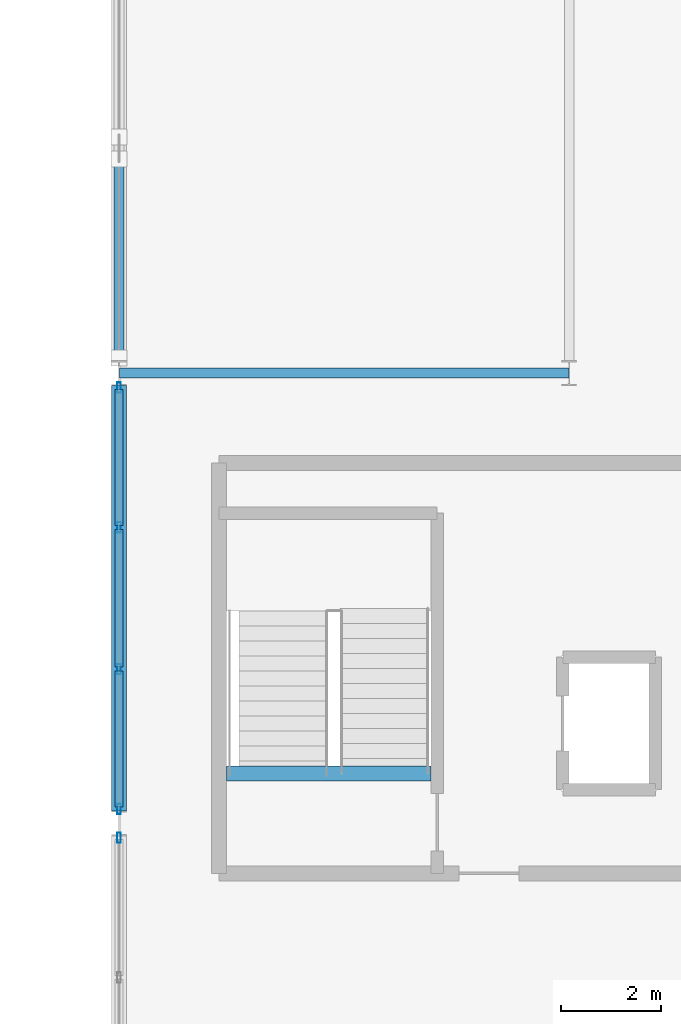
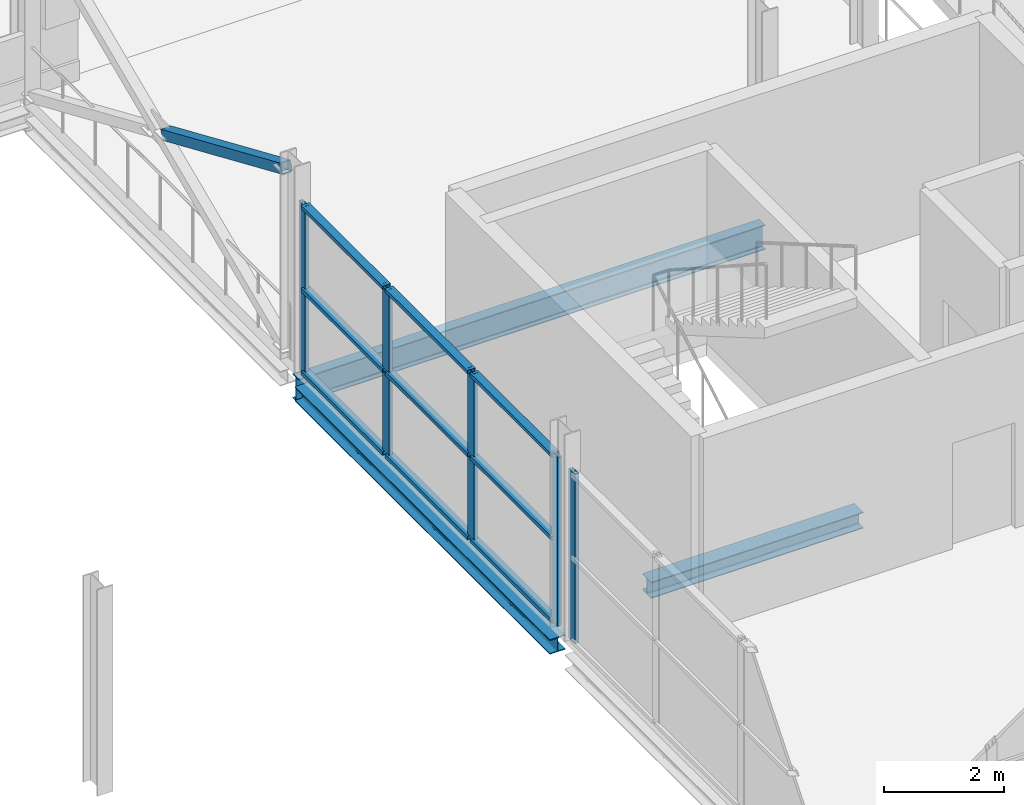
# One storey, part 36 of 103: 15 members, 3 beams, 2 elements without a shape of their own.
"""IFC4 building model written with IfcOpenShell, lengths in metres."""

from ifc_helpers import new_model, si_unit, direction, frame, origin, origin_2d, place, context, subcontext, project, spatial, hollow_rectangle, i_section, extrude, material, layer, layer_set, material_profile, profile_set, type_object, element, aggregate, save


model = new_model("IFC4")

# Units and contexts
model_context = context("Model", 3, precision=1e-05, world=origin(), true_north=direction((0.0, 1.0)))
body_context = subcontext(model_context, "Body", "Model", "MODEL_VIEW")
ifc_project = project(units=[si_unit("LENGTHUNIT", "METRE"), si_unit("AREAUNIT", "SQUARE_METRE"), si_unit("VOLUMEUNIT", "CUBIC_METRE"), si_unit("PLANEANGLEUNIT", "RADIAN"), si_unit("MASSUNIT", "GRAM", prefix="KILO")], contexts=[model_context])

# Site, building, storey
site_placement = place(None, origin())
site = spatial("IfcSite", under=ifc_project, at=site_placement, CompositionType="ELEMENT")
building_placement = place(site_placement, origin())
building = spatial("IfcBuilding", under=site, at=building_placement, Name="Deido Ridge Mobility Hub", CompositionType="ELEMENT")
storey_placement = place(building_placement, frame((0.0, 0.0, 12.60009765625)))
storey = spatial("IfcBuildingStorey", under=building, at=storey_placement, Name="L03", CompositionType="ELEMENT", Elevation=12.60009765625)

# Beams
ifc_material_1 = material(Name="Steel S355J2 EN 10025-2", Category="steel")
ifc_material_profile_1 = material_profile(ifc_material_1, i_section(OverallWidth=0.300048828125, OverallDepth=0.330078125, WebThickness=0.009521484375, FlangeThickness=0.0166015625, FilletRadius=0.027099609375, at=origin_2d()), Name="HEA 340")
ifc_profile_set_1 = profile_set([ifc_material_profile_1], Name="Steel S355J2 EN 10025-2")
beam_type_1 = type_object("IfcBeamType", Name="BM-HEA340", PredefinedType="BEAM", material=ifc_profile_set_1)
beam_1_placement = place(storey_placement, frame((74.14990234375, 64.0, -0.43017578125), z_axis=(1.0, 0.0, 0.0), x_axis=(0.0, 1.0, 0.0)))
element("IfcBeam", 1, at=beam_1_placement, inside=storey, type_object=beam_type_1, Name="C4 stair landing trimmer beam B6", PredefinedType="BEAM", context=body_context, shape_type="SweptSolid", body=[
    extrude(i_section(OverallWidth=0.300048828125, OverallDepth=0.330078125, WebThickness=0.009521484375, FlangeThickness=0.0166015625, FilletRadius=0.027099609375, at=origin_2d()), origin(), (0.0, 0.0, 1.0), 4.085205078125),
])
ifc_material_profile_2 = material_profile(ifc_material_1, i_section(OverallWidth=0.199951171875, OverallDepth=0.5, WebThickness=0.01025390625, FlangeThickness=0.01611328125, FilletRadius=0.02099609375, at=origin_2d()), Name="IPE 500")
ifc_profile_set_2 = profile_set([ifc_material_profile_2], Name="Steel S355J2 EN 10025-2")
beam_type_2 = type_object("IfcBeamType", Name="BM-IPE500", PredefinedType="BEAM", material=ifc_profile_set_2)
beam_2_placement = place(storey_placement, frame((72.007080078125, 72.0, -0.51513671875), z_axis=(1.0, 0.0, 0.0), x_axis=(0.0, 1.0, 0.0)))
element("IfcBeam", 2, at=beam_2_placement, inside=storey, type_object=beam_type_2, Name="Floor beam B3", PredefinedType="BEAM", context=body_context, shape_type="SweptSolid", body=[
    extrude(i_section(OverallWidth=0.199951171875, OverallDepth=0.5, WebThickness=0.01025390625, FlangeThickness=0.01611328125, FilletRadius=0.02099609375, at=origin_2d()), origin(), (0.0, 0.0, 1.0), 8.98583984375),
])

# Member
ifc_material_2 = material(Name="Steel S355J2H EN 10210-1", Category="steel")
ifc_material_profile_3 = material_profile(ifc_material_2, hollow_rectangle(XDim=0.199951171875, YDim=0.199951171875, WallThickness=0.010009765625, at=origin_2d()), Name="SHS 200x200x10")
ifc_profile_set_3 = profile_set([ifc_material_profile_3], Name="Steel S355J2H EN 10210-1")
member_type_1 = type_object("IfcMemberType", Name="MEM-BRC-SHS200", PredefinedType="BRACE", material=ifc_profile_set_3)
member_1_placement = place(storey_placement, frame((72.0, 76.27978515625, 2.09521484375), z_axis=(0.0, -0.917550833654, 0.397618495119), x_axis=(1.0, 0.0, 0.0)))
element("IfcMember", 3, at=member_1_placement, inside=storey, type_object=member_type_1, Name="Split X-brace diagonal segment BR3", PredefinedType="BRACE", context=body_context, shape_type="SweptSolid", body=[
    extrude(hollow_rectangle(XDim=0.199951171875, YDim=0.199951171875, WallThickness=0.010009765625, at=origin_2d()), origin(), (0.0, 0.0, 1.0), 4.33740234375),
])

# Curtain wall, member
ifc_material_3 = material(Name="Anodised aluminium EN AW-6063 T6", Category="aluminium")
ifc_layer = layer(ifc_material_3, 0.2099609375, Name="Anodised aluminium EN AW-6063 T6")
ifc_layer_set = layer_set([ifc_layer], Name="Anodised aluminium EN AW-6063 T6")
curtain_wall_type = type_object("IfcCurtainWallType", Name="CW-UF-4", PredefinedType="USERDEFINED", material=ifc_layer_set)
curtain_wall_1_placement = place(storey_placement, origin())
curtain_wall_1 = element("IfcCurtainWall", 4, at=curtain_wall_1_placement, inside=storey, type_object=curtain_wall_type, Name="Unitised curtain wall CW4", ObjectType="UNITISED FACADE", PredefinedType="USERDEFINED")
ifc_material_profile_4 = material_profile(ifc_material_3, hollow_rectangle(XDim=0.074951171875, YDim=0.205078125, WallThickness=0.00390625, at=origin_2d()), Name="RHS 75x205x4")
ifc_profile_set_4 = profile_set([ifc_material_profile_4], Name="Anodised aluminium EN AW-6063 T6")
member_type_2 = type_object("IfcMemberType", Name="MEM-MUL-75X205", PredefinedType="MULLION", material=ifc_profile_set_4)
member_2_placement = place(storey_placement, frame((72.0, 62.71240234375, 0.0), z_axis=(0.0, 0.0, 1.0), x_axis=(-1.0, 0.0, 0.0)))
member_2 = element("IfcMember", 5, at=member_2_placement, type_object=member_type_2, Name="CW4 mullion 4", PredefinedType="MULLION", context=body_context, shape_type="SweptSolid", body=[
    extrude(hollow_rectangle(XDim=0.074951171875, YDim=0.205078125, WallThickness=0.00390625, at=origin_2d()), origin(), (0.0, 0.0, 1.0), 3.449951171875),
])
aggregate(curtain_wall_1, [member_2])

# Curtain wall, members
curtain_wall_2_placement = place(storey_placement, origin())
curtain_wall_2 = element("IfcCurtainWall", 6, at=curtain_wall_2_placement, inside=storey, type_object=curtain_wall_type, Name="Unitised curtain wall CW4", ObjectType="UNITISED FACADE", PredefinedType="USERDEFINED")
member_3_placement = place(storey_placement, frame((72.0, 63.28759765625, 0.0), z_axis=(0.0, 0.0, 1.0), x_axis=(-1.0, 0.0, 0.0)))
member_3 = element("IfcMember", 7, at=member_3_placement, type_object=member_type_2, Name="CW4 mullion 1", PredefinedType="MULLION", context=body_context, shape_type="SweptSolid", body=[
    extrude(hollow_rectangle(XDim=0.074951171875, YDim=0.205078125, WallThickness=0.00390625, at=origin_2d()), origin(), (0.0, 0.0, 1.0), 3.449951171875),
])
member_4_placement = place(storey_placement, frame((72.0, 66.083251953125, 0.0), z_axis=(0.0, 0.0, 1.0), x_axis=(-1.0, 0.0, 0.0)))
member_4 = element("IfcMember", 8, at=member_4_placement, type_object=member_type_2, Name="CW4 mullion 2", PredefinedType="MULLION", context=body_context, shape_type="SweptSolid", body=[
    extrude(hollow_rectangle(XDim=0.074951171875, YDim=0.205078125, WallThickness=0.00390625, at=origin_2d()), origin(), (0.0, 0.0, 1.0), 3.449951171875),
])
member_5_placement = place(storey_placement, frame((72.0, 68.916748046875, 0.0), z_axis=(0.0, 0.0, 1.0), x_axis=(-1.0, 0.0, 0.0)))
member_5 = element("IfcMember", 9, at=member_5_placement, type_object=member_type_2, Name="CW4 mullion 3", PredefinedType="MULLION", context=body_context, shape_type="SweptSolid", body=[
    extrude(hollow_rectangle(XDim=0.074951171875, YDim=0.205078125, WallThickness=0.00390625, at=origin_2d()), origin(), (0.0, 0.0, 1.0), 3.449951171875),
])
member_6_placement = place(storey_placement, frame((72.0, 71.71240234375, 0.0), z_axis=(0.0, 0.0, 1.0), x_axis=(-1.0, 0.0, 0.0)))
member_6 = element("IfcMember", 10, at=member_6_placement, type_object=member_type_2, Name="CW4 mullion 4", PredefinedType="MULLION", context=body_context, shape_type="SweptSolid", body=[
    extrude(hollow_rectangle(XDim=0.074951171875, YDim=0.205078125, WallThickness=0.00390625, at=origin_2d()), origin(), (0.0, 0.0, 1.0), 3.449951171875),
])
ifc_material_profile_5 = material_profile(ifc_material_3, hollow_rectangle(XDim=0.155029296875, YDim=0.074951171875, WallThickness=0.00390625, at=origin_2d()), Name="RHS 155x75x4")
ifc_profile_set_5 = profile_set([ifc_material_profile_5], Name="Anodised aluminium EN AW-6063 T6")
member_type_3 = type_object("IfcMemberType", Name="MEM-TRN-155X75", PredefinedType="USERDEFINED", material=ifc_profile_set_5)
member_7_placement = place(storey_placement, frame((72.0, 63.324951171875, 0.037353515625), z_axis=(0.0, 1.0, 0.0), x_axis=(-1.0, 0.0, 0.0)))
member_7 = element("IfcMember", 11, at=member_7_placement, type_object=member_type_3, Name="CW4 transom 1.1", ObjectType="TRANSOM", PredefinedType="USERDEFINED", context=body_context, shape_type="SweptSolid", body=[
    extrude(hollow_rectangle(XDim=0.155029296875, YDim=0.074951171875, WallThickness=0.00390625, at=origin_2d()), origin(), (0.0, 0.0, 1.0), 2.720947265625),
])
member_8_placement = place(storey_placement, frame((72.0, 63.324951171875, 1.724853515625), z_axis=(0.0, 1.0, 0.0), x_axis=(-1.0, 0.0, 0.0)))
member_8 = element("IfcMember", 12, at=member_8_placement, type_object=member_type_3, Name="CW4 transom 1.2", ObjectType="TRANSOM", PredefinedType="USERDEFINED", context=body_context, shape_type="SweptSolid", body=[
    extrude(hollow_rectangle(XDim=0.155029296875, YDim=0.074951171875, WallThickness=0.00390625, at=origin_2d()), origin(), (0.0, 0.0, 1.0), 2.720947265625),
])
member_9_placement = place(storey_placement, frame((72.0, 63.324951171875, 3.412353515625), z_axis=(0.0, 1.0, 0.0), x_axis=(-1.0, 0.0, 0.0)))
member_9 = element("IfcMember", 13, at=member_9_placement, type_object=member_type_3, Name="CW4 transom 1.3", ObjectType="TRANSOM", PredefinedType="USERDEFINED", context=body_context, shape_type="SweptSolid", body=[
    extrude(hollow_rectangle(XDim=0.155029296875, YDim=0.074951171875, WallThickness=0.00390625, at=origin_2d()), origin(), (0.0, 0.0, 1.0), 2.720947265625),
])
member_10_placement = place(storey_placement, frame((72.0, 66.120849609375, 0.037353515625), z_axis=(0.0, 1.0, 0.0), x_axis=(-1.0, 0.0, 0.0)))
member_10 = element("IfcMember", 14, at=member_10_placement, type_object=member_type_3, Name="CW4 transom 2.1", ObjectType="TRANSOM", PredefinedType="USERDEFINED", context=body_context, shape_type="SweptSolid", body=[
    extrude(hollow_rectangle(XDim=0.155029296875, YDim=0.074951171875, WallThickness=0.00390625, at=origin_2d()), origin(), (0.0, 0.0, 1.0), 2.75830078125),
])
member_11_placement = place(storey_placement, frame((72.0, 66.120849609375, 1.724853515625), z_axis=(0.0, 1.0, 0.0), x_axis=(-1.0, 0.0, 0.0)))
member_11 = element("IfcMember", 15, at=member_11_placement, type_object=member_type_3, Name="CW4 transom 2.2", ObjectType="TRANSOM", PredefinedType="USERDEFINED", context=body_context, shape_type="SweptSolid", body=[
    extrude(hollow_rectangle(XDim=0.155029296875, YDim=0.074951171875, WallThickness=0.00390625, at=origin_2d()), origin(), (0.0, 0.0, 1.0), 2.75830078125),
])
member_12_placement = place(storey_placement, frame((72.0, 66.120849609375, 3.412353515625), z_axis=(0.0, 1.0, 0.0), x_axis=(-1.0, 0.0, 0.0)))
member_12 = element("IfcMember", 16, at=member_12_placement, type_object=member_type_3, Name="CW4 transom 2.3", ObjectType="TRANSOM", PredefinedType="USERDEFINED", context=body_context, shape_type="SweptSolid", body=[
    extrude(hollow_rectangle(XDim=0.155029296875, YDim=0.074951171875, WallThickness=0.00390625, at=origin_2d()), origin(), (0.0, 0.0, 1.0), 2.75830078125),
])
member_13_placement = place(storey_placement, frame((72.0, 68.9541015625, 0.037353515625), z_axis=(0.0, 1.0, 0.0), x_axis=(-1.0, 0.0, 0.0)))
member_13 = element("IfcMember", 17, at=member_13_placement, type_object=member_type_3, Name="CW4 transom 3.1", ObjectType="TRANSOM", PredefinedType="USERDEFINED", context=body_context, shape_type="SweptSolid", body=[
    extrude(hollow_rectangle(XDim=0.155029296875, YDim=0.074951171875, WallThickness=0.00390625, at=origin_2d()), origin(), (0.0, 0.0, 1.0), 2.720947265625),
])
member_14_placement = place(storey_placement, frame((72.0, 68.9541015625, 1.724853515625), z_axis=(0.0, 1.0, 0.0), x_axis=(-1.0, 0.0, 0.0)))
member_14 = element("IfcMember", 18, at=member_14_placement, type_object=member_type_3, Name="CW4 transom 3.2", ObjectType="TRANSOM", PredefinedType="USERDEFINED", context=body_context, shape_type="SweptSolid", body=[
    extrude(hollow_rectangle(XDim=0.155029296875, YDim=0.074951171875, WallThickness=0.00390625, at=origin_2d()), origin(), (0.0, 0.0, 1.0), 2.720947265625),
])
member_15_placement = place(storey_placement, frame((72.0, 68.9541015625, 3.412353515625), z_axis=(0.0, 1.0, 0.0), x_axis=(-1.0, 0.0, 0.0)))
member_15 = element("IfcMember", 19, at=member_15_placement, type_object=member_type_3, Name="CW4 transom 3.3", ObjectType="TRANSOM", PredefinedType="USERDEFINED", context=body_context, shape_type="SweptSolid", body=[
    extrude(hollow_rectangle(XDim=0.155029296875, YDim=0.074951171875, WallThickness=0.00390625, at=origin_2d()), origin(), (0.0, 0.0, 1.0), 2.720947265625),
])
aggregate(curtain_wall_2, [member_3, member_4, member_5, member_6, member_7, member_8, member_9, member_10, member_11, member_12, member_13, member_14, member_15])

# Beam
ifc_material_profile_6 = material_profile(ifc_material_1, i_section(OverallWidth=0.300048828125, OverallDepth=0.300048828125, WebThickness=0.010986328125, FlangeThickness=0.01904296875, FilletRadius=0.027099609375, at=origin_2d()), Name="HEB 300")
ifc_profile_set_6 = profile_set([ifc_material_profile_6], Name="Steel S355J2 EN 10025-2")
beam_type_3 = type_object("IfcBeamType", Name="SPD-HEB300", PredefinedType="SPANDREL", material=ifc_profile_set_6)
beam_3_placement = place(storey_placement, frame((72.0, 63.25, -0.4150390625), z_axis=(0.0, 1.0, 0.0), x_axis=(-1.0, 0.0, 0.0)))
element("IfcBeam", 20, at=beam_3_placement, inside=storey, type_object=beam_type_3, Name="Floor beam SP1", PredefinedType="SPANDREL", context=body_context, shape_type="SweptSolid", body=[
    extrude(i_section(OverallWidth=0.300048828125, OverallDepth=0.300048828125, WebThickness=0.010986328125, FlangeThickness=0.01904296875, FilletRadius=0.027099609375, at=origin_2d()), origin(), (0.0, 0.0, 1.0), 8.5),
])

save(model, "model.ifc")
